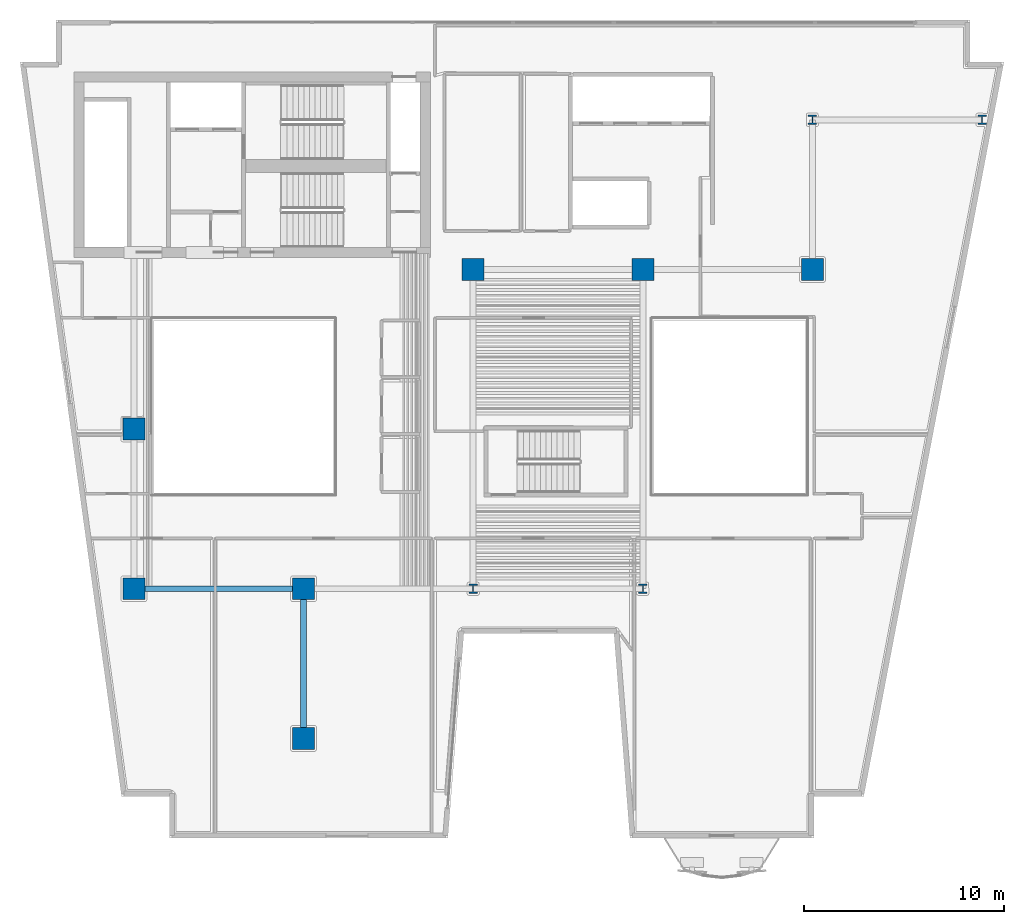
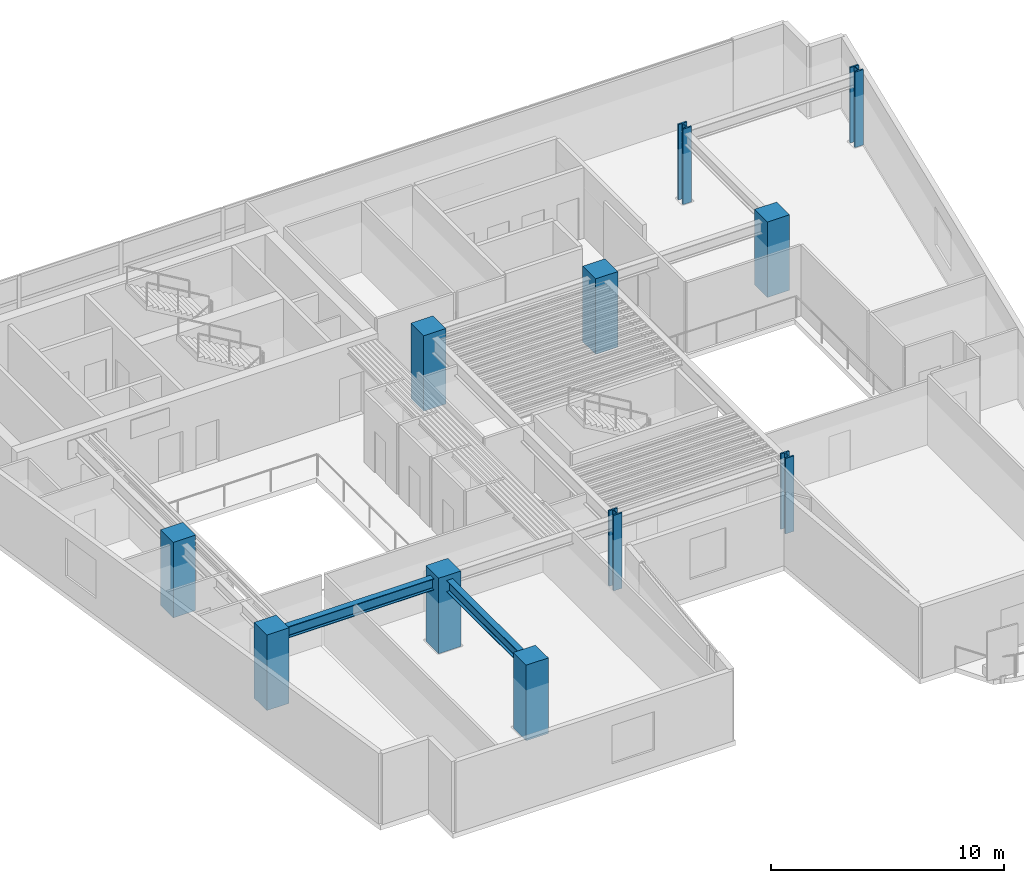
# One storey, part 1 of 13: 11 columns, 2 beams.
"""IFC4 building model written with IfcOpenShell, lengths in metres."""

from ifc_helpers import new_model, si_unit, direction, frame, origin, origin_2d, place, context, subcontext, project, spatial, rectangle, i_section, extrude, material, material_profile, profile_set, type_object, element, save


model = new_model("IFC4")

# Units and contexts
model_context = context("Model", 3, precision=1e-05, world=origin(), true_north=direction((0.0, 1.0)))
body_context = subcontext(model_context, "Body", "Model", "MODEL_VIEW")
ifc_project = project(units=[si_unit("LENGTHUNIT", "METRE"), si_unit("AREAUNIT", "SQUARE_METRE"), si_unit("VOLUMEUNIT", "CUBIC_METRE"), si_unit("PLANEANGLEUNIT", "RADIAN"), si_unit("MASSUNIT", "GRAM", prefix="KILO")], contexts=[model_context])

# Site, building, storey
site_placement = place(None, origin())
site = spatial("IfcSite", under=ifc_project, at=site_placement, CompositionType="ELEMENT")
building_placement = place(site_placement, origin())
building = spatial("IfcBuilding", under=site, at=building_placement, Name="Caeloran Harvest Quay", CompositionType="ELEMENT")
storey_placement = place(building_placement, frame((0.0, 0.0, 123.25)))
storey = spatial("IfcBuildingStorey", under=building, at=storey_placement, Name="L28", CompositionType="ELEMENT", Elevation=123.25)

# Columns
ifc_material_1 = material(Name="Concrete C70/85", Category="concrete")
ifc_material_profile_1 = material_profile(ifc_material_1, rectangle(XDim=1.10009765625, YDim=1.10009765625, at=origin_2d()), Name="RC 1100x1100")
ifc_profile_set_1 = profile_set([ifc_material_profile_1], Name="Concrete C70/85")
column_type_1 = type_object("IfcColumnType", Name="COL-MC-3-RC_1100x1100", PredefinedType="COLUMN", material=ifc_profile_set_1)
for number, where, z_axis, x_axis, name in (
    (1, (8.5, 15.0, 0.0), (0.0, 0.0, 1.0), (1.0, 0.0, 0.0), "L28 Structural Column (8.5, 15.0)"),
    (2, (8.5, 23.0, 0.0), (0.0, 0.0, 1.0), (1.0, 0.0, 0.0), "L28 Structural Column (8.5, 23.0)"),
    (3, (17.0, 7.5, 0.0), (0.0, 0.0, 1.0), (1.0, 0.0, 0.0), "L28 Structural Column (17.0, 7.5)"),
    (4, (17.0, 15.0, 0.0), (0.0, 0.0, 1.0), (1.0, 0.0, 0.0), "L28 Structural Column (17.0, 15.0)"),
    (5, (25.5, 31.0, 0.0), (0.0, 0.0, 1.0), (1.0, 0.0, 0.0), "L28 Structural Column (25.5, 31.0)"),
    (6, (34.0, 31.0, 0.0), (0.0, 0.0, 1.0), (1.0, 0.0, 0.0), "L28 Structural Column (34.0, 31.0)"),
    (7, (42.5, 31.0, 0.0), (0.0, 0.0, 1.0), (1.0, 0.0, 0.0), "L28 Structural Column (42.5, 31.0)"),
):
    element("IfcColumn", number, at=place(storey_placement, frame(where, z_axis=z_axis, x_axis=x_axis)), inside=storey, type_object=column_type_1, Name=name, PredefinedType="COLUMN", context=body_context, shape_type="SweptSolid", body=[
        extrude(rectangle(XDim=1.10009765625, YDim=1.10009765625, at=origin_2d()), origin(), (0.0, 0.0, 1.0), 3.949951171875),
    ])
ifc_material_2 = material(Name="Steel HISTAR 460", Category="steel")
ifc_material_profile_2 = material_profile(ifc_material_2, i_section(OverallWidth=0.424072265625, OverallDepth=0.47412109375, WebThickness=0.047607421875, FlangeThickness=0.076904296875, FilletRadius=0.014892578125, at=origin_2d()), Name="HD 400x634")
ifc_profile_set_2 = profile_set([ifc_material_profile_2], Name="Steel HISTAR 460")
column_type_2 = type_object("IfcColumnType", Name="COL-SC-3-HD_400x634", PredefinedType="COLUMN", material=ifc_profile_set_2)
for number, where, z_axis, x_axis, name in (
    (8, (25.5, 15.0, 0.0), (0.0, 0.0, 1.0), (1.0, 0.0, 0.0), "L28 Structural Column (25.5, 15.0)"),
    (9, (34.0, 15.0, 0.0), (0.0, 0.0, 1.0), (1.0, 0.0, 0.0), "L28 Structural Column (34.0, 15.0)"),
    (10, (42.5, 38.5, 0.0), (0.0, 0.0, 1.0), (1.0, 0.0, 0.0), "L28 Structural Column (42.5, 38.5)"),
    (11, (51.0, 38.5, 0.0), (0.0, 0.0, 1.0), (1.0, 0.0, 0.0), "L28 Structural Column (51.0, 38.5)"),
):
    element("IfcColumn", number, at=place(storey_placement, frame(where, z_axis=z_axis, x_axis=x_axis)), inside=storey, type_object=column_type_2, Name=name, PredefinedType="COLUMN", context=body_context, shape_type="SweptSolid", body=[
        extrude(i_section(OverallWidth=0.424072265625, OverallDepth=0.47412109375, WebThickness=0.047607421875, FlangeThickness=0.076904296875, FilletRadius=0.014892578125, at=origin_2d()), origin(), (0.0, 0.0, 1.0), 3.949951171875),
    ])

# Beams
ifc_material_3 = material(Name="Steel S355J2", Category="steel")
ifc_material_profile_3 = material_profile(ifc_material_3, i_section(OverallWidth=0.300048828125, OverallDepth=0.60009765625, WebThickness=0.015380859375, FlangeThickness=0.030029296875, FilletRadius=0.027099609375, at=origin_2d()), Name="HE 600 B")
ifc_profile_set_3 = profile_set([ifc_material_profile_3], Name="Steel S355J2")
beam_type = type_object("IfcBeamType", Name="BM-PG-3-HE_600_B", PredefinedType="BEAM", material=ifc_profile_set_3)
beam_1_placement = place(storey_placement, frame((8.5, 15.0, 3.389892578125), z_axis=(1.0, 0.0, 0.0), x_axis=(0.0, 1.0, 0.0)))
element("IfcBeam", 12, at=beam_1_placement, inside=storey, type_object=beam_type, Name="L28 Primary East-West Girder Y=15.0", PredefinedType="BEAM", context=body_context, shape_type="SweptSolid", body=[
    extrude(i_section(OverallWidth=0.300048828125, OverallDepth=0.60009765625, WebThickness=0.015380859375, FlangeThickness=0.030029296875, FilletRadius=0.027099609375, at=origin_2d()), origin(), (0.0, 0.0, 1.0), 8.5),
])
beam_2_placement = place(storey_placement, frame((17.0, 7.5, 3.389892578125), z_axis=(0.0, 1.0, 0.0), x_axis=(-1.0, 0.0, 0.0)))
element("IfcBeam", 13, at=beam_2_placement, inside=storey, type_object=beam_type, Name="L28 Primary North-South Girder X=17.0", PredefinedType="BEAM", context=body_context, shape_type="SweptSolid", body=[
    extrude(i_section(OverallWidth=0.300048828125, OverallDepth=0.60009765625, WebThickness=0.015380859375, FlangeThickness=0.030029296875, FilletRadius=0.027099609375, at=origin_2d()), origin(), (0.0, 0.0, 1.0), 7.5),
])

save(model, "model.ifc")
